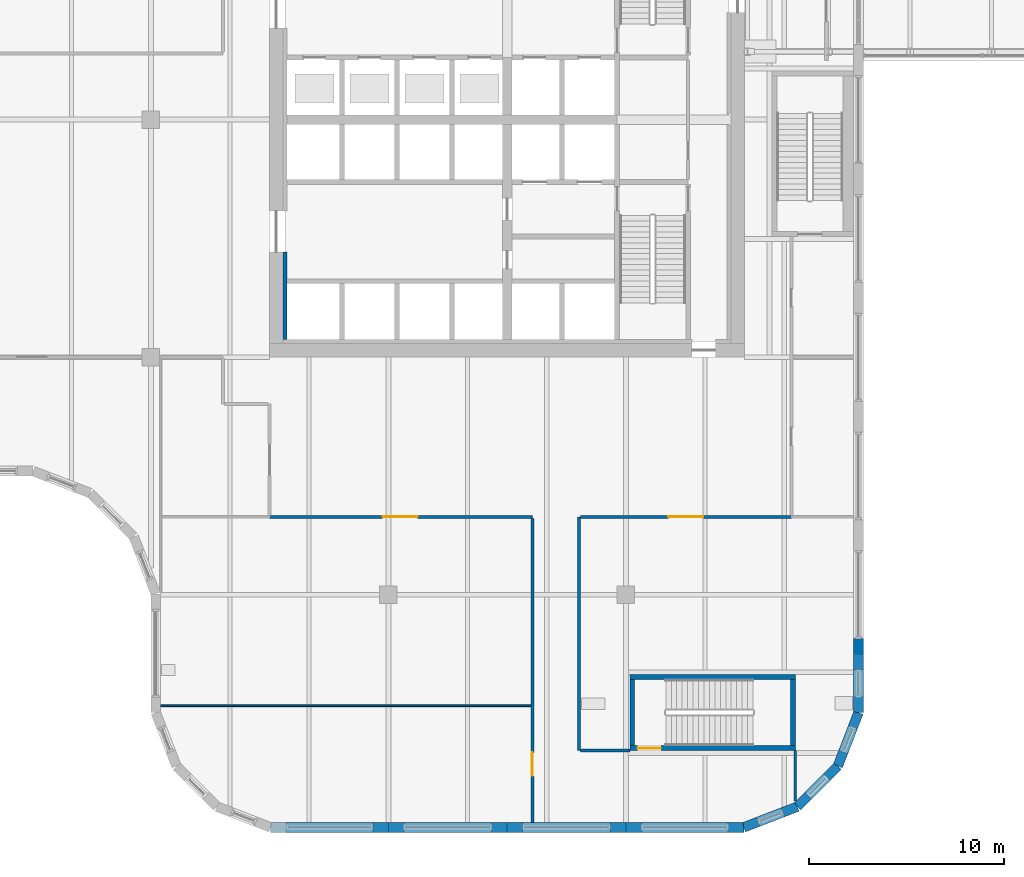
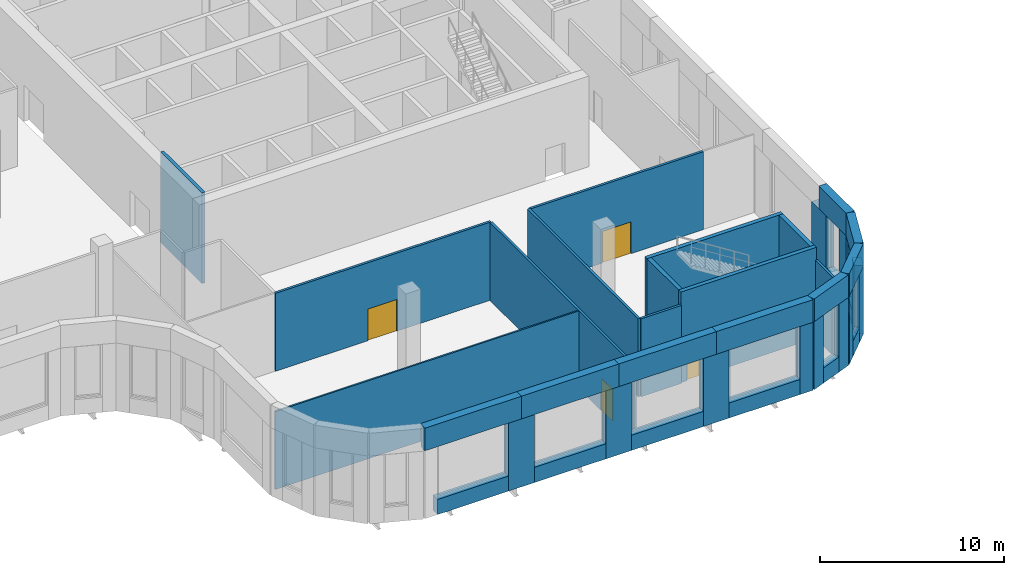
# One storey, part 21 of 36: 40 walls, 4 doors, 4 openings.
"""IFC4 building model written with IfcOpenShell, lengths in metres."""

from ifc_helpers import new_model, si_unit, direction, frame, frame_2d, origin, place, context, subcontext, project, spatial, polyline, rectangle, outline, extrude, faceted_brep, source, transform, mapped, material, layer, layer_set, type_object, element, fill, save


model = new_model("IFC4")

# Units and contexts
model_context = context("Model", 3, precision=1e-05, world=origin(), true_north=direction((0.0, 1.0)))
body_context = subcontext(model_context, "Body", "Model", "MODEL_VIEW")
ifc_project = project(units=[si_unit("LENGTHUNIT", "METRE"), si_unit("AREAUNIT", "SQUARE_METRE"), si_unit("VOLUMEUNIT", "CUBIC_METRE"), si_unit("PLANEANGLEUNIT", "RADIAN"), si_unit("MASSUNIT", "GRAM", prefix="KILO")], contexts=[model_context])

# Site, building, storey
site_placement = place(None, origin())
site = spatial("IfcSite", under=ifc_project, at=site_placement, CompositionType="ELEMENT")
building_placement = place(site_placement, origin())
building = spatial("IfcBuilding", under=site, at=building_placement, Name="Tessera Gate Towers", CompositionType="ELEMENT")
storey_placement = place(building_placement, frame((0.0, 0.0, 106.60009765625)))
storey = spatial("IfcBuildingStorey", under=building, at=storey_placement, Name="L26", CompositionType="ELEMENT", Elevation=106.60009765625)

# Wall, opening, door
ifc_material_1 = material(Name="Concrete C40/50", Category="concrete")
ifc_layer_1 = layer(ifc_material_1, 0.25)
ifc_layer_set_1 = layer_set([ifc_layer_1], Name="CORE ENCLOSURE WALL 250")
wall_type_1 = type_object("IfcWallType", Name="CORE ENCLOSURE WALL 250", PredefinedType="SOLIDWALL", material=ifc_layer_set_1)
wall_1_placement = place(storey_placement, frame((57.5, 4.324951171875, 0.0), z_axis=(0.0, 0.0, 1.0), x_axis=(-1.0, 0.0, 0.0)))
wall_1 = element("IfcWall", 1, at=wall_1_placement, inside=storey, type_object=wall_type_1, Name="L26 ST4 enclosure wall", PredefinedType="SOLIDWALL", context=body_context, shape_type="SweptSolid", body=[
    extrude(rectangle(XDim=8.5, YDim=0.25, at=frame_2d((4.25, 0.0))), origin(), (0.0, 0.0, 1.0), 6.0),
])
shared_shape_1 = source(origin(), body_context, "Body", "SweptSolid", [
    extrude(rectangle(XDim=1.199951171875, YDim=2.10009765625, at=frame_2d((0.60009765625, 1.050048828125))), frame((0.0, 0.135009765625, 0.0), z_axis=(0.0, -1.0, 0.0), x_axis=(1.0, 0.0, 0.0)), (0.0, 0.0, 1.0), 0.27001953125),
])
opening_1_placement = place(wall_1_placement, frame((6.89990234375, 0.0, 0.0)))
opening_1 = element("IfcOpeningElement", 2, at=opening_1_placement, cuts=wall_1, Name="Opening SD-ST4-1", PredefinedType="OPENING", context=body_context, shape_type="MappedRepresentation", body=[
    mapped(shared_shape_1, transform((0.0, 0.0, 0.0), scale=1.0)),
])
ifc_material_2 = material(Name="Hollow steel fire door", Category="steel")
door_type_1 = type_object("IfcDoorType", Name="CORE DOOR SD 1200x2100", OperationType="NOTDEFINED", PredefinedType="DOOR", material=ifc_material_2)
shared_shape_2 = source(origin(), body_context, "Body", "SweptSolid", [
    extrude(rectangle(XDim=1.199951171875, YDim=2.10009765625, at=frame_2d((0.60009765625, 1.050048828125))), frame((0.0, 0.02490234375, 0.0), z_axis=(0.0, -1.0, 0.0), x_axis=(1.0, 0.0, 0.0)), (0.0, 0.0, 1.0), 0.050048828125),
])
door_1_placement = place(opening_1_placement, origin())
door_1 = element("IfcDoor", 3, at=door_1_placement, inside=storey, type_object=door_type_1, Name="Stair door", OperationType="SINGLE_SWING_RIGHT", OverallHeight=2.10009765625, OverallWidth=1.199951171875, PredefinedType="DOOR", context=body_context, shape_type="MappedRepresentation", body=[
    mapped(shared_shape_2, transform((0.0, 0.0, 0.0), scale=1.0)),
])
fill(opening_1, door_1)

# Walls
wall_2_placement = place(storey_placement, frame((49.125, 4.449951171875, 0.0), z_axis=(0.0, 0.0, 1.0), x_axis=(0.0, 1.0, 0.0)))
element("IfcWall", 4, at=wall_2_placement, inside=storey, type_object=wall_type_1, Name="L26 ST4 enclosure wall", PredefinedType="SOLIDWALL", context=body_context, shape_type="SweptSolid", body=[
    extrude(rectangle(XDim=3.400146484375, YDim=0.25, at=frame_2d((1.7001953125, 0.0))), origin(), (0.0, 0.0, 1.0), 6.0),
])
wall_3_placement = place(storey_placement, frame((49.0, 7.97509765625, 0.0), z_axis=(0.0, 0.0, 1.0), x_axis=(1.0, 0.0, 0.0)))
element("IfcWall", 5, at=wall_3_placement, inside=storey, type_object=wall_type_1, Name="L26 ST4 enclosure wall", PredefinedType="SOLIDWALL", context=body_context, shape_type="SweptSolid", body=[
    extrude(rectangle(XDim=8.5, YDim=0.25, at=frame_2d((4.25, 0.0))), origin(), (0.0, 0.0, 1.0), 6.0),
])
wall_4_placement = place(storey_placement, frame((57.375, 7.85009765625, 0.0), z_axis=(0.0, 0.0, 1.0), x_axis=(0.0, -1.0, 0.0)))
element("IfcWall", 6, at=wall_4_placement, inside=storey, type_object=wall_type_1, Name="L26 ST4 enclosure wall", PredefinedType="SOLIDWALL", context=body_context, shape_type="SweptSolid", body=[
    extrude(rectangle(XDim=3.400146484375, YDim=0.25, at=frame_2d((1.7001953125, 0.0))), origin(), (0.0, 0.0, 1.0), 6.0),
])
ifc_material_3 = material(Name="Concrete C60/75", Category="concrete")
ifc_layer_2 = layer(ifc_material_3, 0.199951171875)
ifc_layer_set_2 = layer_set([ifc_layer_2], Name="CORE WALL THICKENING 200")
wall_type_2 = type_object("IfcWallType", Name="CORE WALL THICKENING 200", PredefinedType="SOLIDWALL", material=ifc_layer_set_2)
wall_5_placement = place(storey_placement, frame((31.300048828125, 25.300048828125, 0.0), z_axis=(0.0, 0.0, 1.0), x_axis=(0.0, 1.0, 0.0)))
element("IfcWall", 7, at=wall_5_placement, inside=storey, type_object=wall_type_2, Name="Core wall thickening W L26", PredefinedType="SOLIDWALL", context=body_context, shape_type="SweptSolid", body=[
    extrude(rectangle(XDim=4.5, YDim=0.199951171875, at=frame_2d((2.25, 0.0))), origin(), (0.0, 0.0, 1.0), 6.0),
])

# Wall, opening, door
ifc_material_4 = material(Name="Gypsum board on steel studs, mineral wool", Category="steel")
ifc_layer_3 = layer(ifc_material_4, 0.14990234375)
ifc_layer_set_3 = layer_set([ifc_layer_3], Name="CORRIDOR WALL 150")
wall_type_3 = type_object("IfcWallType", Name="CORRIDOR WALL 150", PredefinedType="PARTITIONING", material=ifc_layer_set_3)
wall_6_placement = place(storey_placement, frame((44.0, 0.5, 0.0), z_axis=(0.0, 0.0, 1.0), x_axis=(0.0, 1.0, 0.0)))
wall_6 = element("IfcWall", 8, at=wall_6_placement, inside=storey, type_object=wall_type_3, Name="T1-L26-PW-001", PredefinedType="PARTITIONING", context=body_context, shape_type="SweptSolid", body=[
    extrude(rectangle(XDim=15.6240234375, YDim=0.14990234375, at=frame_2d((7.81201171875, 0.0))), origin(), (0.0, 0.0, 1.0), 5.1669921875),
])
shared_shape_3 = source(origin(), body_context, "Body", "SweptSolid", [
    extrude(rectangle(XDim=1.199951171875, YDim=2.10009765625, at=frame_2d((0.60009765625, 1.050048828125))), frame((0.0, 0.0849609375, 0.0), z_axis=(0.0, -1.0, 0.0), x_axis=(1.0, 0.0, 0.0)), (0.0, 0.0, 1.0), 0.169921875),
])
opening_2_placement = place(wall_6_placement, frame((2.39990234375, 0.0, 0.0)))
opening_2 = element("IfcOpeningElement", 9, at=opening_2_placement, cuts=wall_6, Name="Opening D2120FD60-A33-01", PredefinedType="OPENING", context=body_context, shape_type="MappedRepresentation", body=[
    mapped(shared_shape_3, transform((0.0, 0.0, 0.0), scale=1.0)),
])
ifc_material_5 = material(Name="Timber door leaf in steel frame", Category="steel")
door_type_2 = type_object("IfcDoorType", Name="TENANCY ENTRANCE DOOR 1200 FD60", OperationType="NOTDEFINED", PredefinedType="DOOR", material=ifc_material_5)
door_2_placement = place(opening_2_placement, origin())
door_2 = element("IfcDoor", 10, at=door_2_placement, inside=storey, type_object=door_type_2, Name="T1-L26-PD-002", OperationType="SINGLE_SWING_LEFT", OverallHeight=2.10009765625, OverallWidth=1.199951171875, PredefinedType="DOOR", context=body_context, shape_type="MappedRepresentation", body=[
    mapped(shared_shape_2, transform((0.0, 0.0, 0.0), scale=1.0)),
])
fill(opening_2, door_2)

# Walls
wall_7_placement = place(storey_placement, frame((57.5, 1.609130859375, 0.0), z_axis=(0.0, 0.0, 1.0), x_axis=(0.0, 1.0, 0.0)))
element("IfcWall", 11, at=wall_7_placement, inside=storey, type_object=wall_type_3, Name="T1-L26-PW-002", PredefinedType="PARTITIONING", context=body_context, shape_type="SweptSolid", body=[
    extrude(rectangle(XDim=2.5908203125, YDim=0.14990234375, at=frame_2d((1.29541015625, 0.0))), origin(), (0.0, 0.0, 1.0), 5.1669921875),
])
wall_8_placement = place(storey_placement, frame((46.39990234375, 4.199951171875, 0.0), z_axis=(0.0, 0.0, 1.0), x_axis=(0.0, 1.0, 0.0)))
element("IfcWall", 12, at=wall_8_placement, inside=storey, type_object=wall_type_3, Name="T1-L26-PW-003", PredefinedType="PARTITIONING", context=body_context, shape_type="SweptSolid", body=[
    extrude(rectangle(XDim=12.0, YDim=0.14990234375, at=frame_2d((6.0, 0.0))), origin(), (0.0, 0.0, 1.0), 5.1669921875),
])
wall_9_placement = place(storey_placement, frame((46.47607421875, 4.199951171875, 0.0), z_axis=(0.0, 0.0, 1.0), x_axis=(1.0, 0.0, 0.0)))
element("IfcWall", 13, at=wall_9_placement, inside=storey, type_object=wall_type_3, Name="T1-L26-PW-004", PredefinedType="PARTITIONING", context=body_context, shape_type="SweptSolid", body=[
    extrude(rectangle(XDim=2.52392578125, YDim=0.14990234375, at=frame_2d((1.261962890625, 0.0))), origin(), (0.0, 0.0, 1.0), 5.1669921875),
])

# Wall, opening, door
wall_10_placement = place(storey_placement, frame((44.0, 16.199951171875, 0.0), z_axis=(0.0, 0.0, 1.0), x_axis=(-1.0, 0.0, 0.0)))
wall_10 = element("IfcWall", 14, at=wall_10_placement, inside=storey, type_object=wall_type_3, Name="T1-L26-PW-008", PredefinedType="PARTITIONING", context=body_context, shape_type="SweptSolid", body=[
    extrude(rectangle(XDim=13.5, YDim=0.14990234375, at=frame_2d((6.75, 0.0))), origin(), (0.0, 0.0, 1.0), 5.1669921875),
])
shared_shape_4 = source(origin(), body_context, "Body", "SweptSolid", [
    extrude(rectangle(XDim=1.800048828125, YDim=2.10009765625, at=frame_2d((0.89990234375, 1.050048828125))), frame((0.0, 0.0849609375, 0.0), z_axis=(0.0, -1.0, 0.0), x_axis=(1.0, 0.0, 0.0)), (0.0, 0.0, 1.0), 0.169921875),
])
opening_3_placement = place(wall_10_placement, frame((5.89990234375, 0.0, 0.0)))
opening_3 = element("IfcOpeningElement", 15, at=opening_3_placement, cuts=wall_10, Name="Opening D2180FD60-A33-02", PredefinedType="OPENING", context=body_context, shape_type="MappedRepresentation", body=[
    mapped(shared_shape_4, transform((0.0, 0.0, 0.0), scale=1.0)),
])
ifc_material_6 = material(Name="Timber door leaf in steel frame", Category="steel")
door_type_3 = type_object("IfcDoorType", Name="TENANCY ENTRANCE DOUBLE DOOR 1800 FD60", OperationType="NOTDEFINED", PredefinedType="DOOR", material=ifc_material_6)
shared_shape_5 = source(origin(), body_context, "Body", "SweptSolid", [
    extrude(rectangle(XDim=1.800048828125, YDim=2.10009765625, at=frame_2d((0.89990234375, 1.050048828125))), frame((0.0, 0.02490234375, 0.0), z_axis=(0.0, -1.0, 0.0), x_axis=(1.0, 0.0, 0.0)), (0.0, 0.0, 1.0), 0.050048828125),
])
door_3_placement = place(opening_3_placement, origin())
door_3 = element("IfcDoor", 16, at=door_3_placement, inside=storey, type_object=door_type_3, Name="T1-L26-PD-011", OperationType="DOUBLE_DOOR_SINGLE_SWING", OverallHeight=2.10009765625, OverallWidth=1.800048828125, PredefinedType="DOOR", context=body_context, shape_type="MappedRepresentation", body=[
    mapped(shared_shape_5, transform((0.0, 0.0, 0.0), scale=1.0)),
])
fill(opening_3, door_3)

wall_11_placement = place(storey_placement, frame((57.300048828125, 16.199951171875, 0.0), z_axis=(0.0, 0.0, 1.0), x_axis=(-1.0, 0.0, 0.0)))
wall_11 = element("IfcWall", 17, at=wall_11_placement, inside=storey, type_object=wall_type_3, Name="T1-L26-PW-009", PredefinedType="PARTITIONING", context=body_context, shape_type="SweptSolid", body=[
    extrude(rectangle(XDim=10.823974609375, YDim=0.14990234375, at=frame_2d((5.412109375, 0.0))), origin(), (0.0, 0.0, 1.0), 5.1669921875),
])
opening_4_placement = place(wall_11_placement, frame((4.52392578125, 0.0, 0.0)))
opening_4 = element("IfcOpeningElement", 18, at=opening_4_placement, cuts=wall_11, Name="Opening D2180FD60-A33-01", PredefinedType="OPENING", context=body_context, shape_type="MappedRepresentation", body=[
    mapped(shared_shape_4, transform((0.0, 0.0, 0.0), scale=1.0)),
])
door_4_placement = place(opening_4_placement, origin())
door_4 = element("IfcDoor", 19, at=door_4_placement, inside=storey, type_object=door_type_3, Name="T1-L26-PD-009", OperationType="DOUBLE_DOOR_SINGLE_SWING", OverallHeight=2.10009765625, OverallWidth=1.800048828125, PredefinedType="DOOR", context=body_context, shape_type="MappedRepresentation", body=[
    mapped(shared_shape_5, transform((0.0, 0.0, 0.0), scale=1.0)),
])
fill(opening_4, door_4)

# Walls
ifc_material_7 = material(Name="Gypsum board on steel studs", Category="steel")
ifc_layer_4 = layer(ifc_material_7, 0.10009765625)
ifc_layer_set_4 = layer_set([ifc_layer_4], Name="PARTITION 100")
wall_type_4 = type_object("IfcWallType", Name="PARTITION 100", PredefinedType="PARTITIONING", material=ifc_layer_set_4)
wall_12_placement = place(storey_placement, frame((24.89990234375, 6.5, 0.0), z_axis=(0.0, 0.0, 1.0), x_axis=(1.0, 0.0, 0.0)))
element("IfcWall", 20, at=wall_12_placement, inside=storey, type_object=wall_type_4, Name="T1-L26-PW-005", PredefinedType="PARTITIONING", context=body_context, shape_type="SweptSolid", body=[
    extrude(rectangle(XDim=19.024169921875, YDim=0.10009765625, at=frame_2d((9.51220703125, 0.0))), origin(), (0.0, 0.0, 1.0), 5.1669921875),
])
ifc_material_8 = material(Name="Precast concrete C60/75 white", Category="concrete")
ifc_layer_5 = layer(ifc_material_8, 0.5)
ifc_layer_set_5 = layer_set([ifc_layer_5], Name="RB1 ring band panel")
wall_type_5 = type_object("IfcWallType", Name="RB1 ring band panel", PredefinedType="SOLIDWALL", material=ifc_layer_set_5)
shared_shape_6 = source(origin(), body_context, "Body", "Brep", [
    faceted_brep([(0.0, -0.25, 0.0), (0.800048828125, -0.25, 0.0), (0.800048828125, -0.25, 4.5), (0.0, -0.25, 4.5), (0.046630859375, 0.25, 4.5), (0.800048828125, 0.25, 4.5), (0.800048828125, 0.25, 0.0), (0.046630859375, 0.25, 0.0), (0.0, 0.0, 0.0), (0.0, 0.0, 4.5)], [[[0, 1, 2, 3]], [[4, 5, 6, 7]], [[7, 6, 1, 0, 8]], [[5, 4, 9, 3, 2]], [[8, 0, 3, 9]], [[7, 8, 9, 4]], [[1, 6, 5, 2]]]),
])
wall_13_placement = place(storey_placement, frame((60.75, 6.146484375, 0.0), z_axis=(0.0, 0.0, 1.0), x_axis=(0.0, 1.0, 0.0)))
element("IfcWall", 21, at=wall_13_placement, inside=storey, type_object=wall_type_5, Name="Ring band panel T1 RB1-0122", PredefinedType="SOLIDWALL", context=body_context, shape_type="MappedRepresentation", body=[
    mapped(shared_shape_6, transform((0.0, 0.0, 0.0), scale=1.0)),
])
shared_shape_7 = source(origin(), body_context, "Body", "Brep", [
    faceted_brep([(0.0, -0.25, 0.0), (1.599853515625, -0.25, 0.0), (1.599853515625, -0.25, 4.5), (0.0, -0.25, 4.5), (0.0, 0.25, 4.5), (1.599853515625, 0.25, 4.5), (1.599853515625, 0.25, 0.0), (0.0, 0.25, 0.0)], [[[0, 1, 2, 3]], [[4, 5, 6, 7]], [[7, 6, 1, 0]], [[5, 4, 3, 2]], [[4, 7, 0, 3]], [[1, 6, 5, 2]]]),
])
for number, where, z_axis, x_axis, name in (
    (22, (35.800048828125, 0.25, 0.0), (0.0, 0.0, 1.0), (1.0, 0.0, 0.0), "Ring band panel T1 RB1-0098"),
    (23, (60.75, 8.35009765625, 0.0), (0.0, 0.0, 1.0), (0.0, 1.0, 0.0), "Ring band panel T1 RB1-0123"),
):
    element("IfcWall", number, at=place(storey_placement, frame(where, z_axis=z_axis, x_axis=x_axis)), inside=storey, type_object=wall_type_5, Name=name, PredefinedType="SOLIDWALL", context=body_context, shape_type="MappedRepresentation", body=[
        mapped(shared_shape_7, transform((0.0, 0.0, 0.0), scale=1.0)),
    ])
shared_shape_8 = source(origin(), body_context, "Body", "SweptSolid", [
    extrude(outline(polyline([(0.0, 0.0), (1.60009765625, 0.0), (1.60009765625, 4.5), (0.0, 4.5), (0.0, 0.0)])), frame((0.0, 0.25, 0.0), z_axis=(0.0, -1.0, 0.0), x_axis=(1.0, 0.0, 0.0)), (0.0, 0.0, 1.0), 0.5),
])
for number, where, z_axis, x_axis, name in (
    (24, (41.89990234375, 0.25, 0.0), (0.0, 0.0, 1.0), (1.0, 0.0, 0.0), "Ring band panel T1 RB1-0099"),
    (25, (48.0, 0.25, 0.0), (0.0, 0.0, 1.0), (1.0, 0.0, 0.0), "Ring band panel T1 RB1-0100"),
):
    element("IfcWall", number, at=place(storey_placement, frame(where, z_axis=z_axis, x_axis=x_axis)), inside=storey, type_object=wall_type_5, Name=name, PredefinedType="SOLIDWALL", context=body_context, shape_type="MappedRepresentation", body=[
        mapped(shared_shape_8, transform((0.0, 0.0, 0.0), scale=1.0)),
    ])
shared_shape_9 = source(origin(), body_context, "Body", "Brep", [
    faceted_brep([(0.0, -0.25, 0.0), (0.800048828125, -0.25, 0.0), (0.800048828125, -0.25, 4.5), (0.0, -0.25, 4.5), (0.0, 0.25, 4.5), (0.75341796875, 0.25, 4.5), (0.75341796875, 0.25, 0.0), (0.0, 0.25, 0.0), (0.800048828125, -0.000244140625, 0.0), (0.800048828125, -0.000244140625, 4.5)], [[[0, 1, 2, 3]], [[4, 5, 6, 7]], [[7, 6, 8, 1, 0]], [[9, 2, 1, 8]], [[5, 4, 3, 2, 9]], [[4, 7, 0, 3]], [[8, 6, 5, 9]]]),
])
wall_14_placement = place(storey_placement, frame((54.053466796875, 0.25, 0.0), z_axis=(0.0, 0.0, 1.0), x_axis=(1.0, 0.0, 0.0)))
element("IfcWall", 26, at=wall_14_placement, inside=storey, type_object=wall_type_5, Name="Ring band panel T1 RB1-0101", PredefinedType="SOLIDWALL", context=body_context, shape_type="MappedRepresentation", body=[
    mapped(shared_shape_9, transform((0.0, 0.0, 0.0), scale=1.0)),
])
shared_shape_10 = source(origin(), body_context, "Body", "SweptSolid", [
    extrude(outline(polyline([(0.0, 0.0), (4.453369140625, 0.0), (4.453369140625, 1.0), (0.0, 1.0), (0.0, 0.0)])), frame((0.0, 0.25, 0.0), z_axis=(0.0, -1.0, 0.0), x_axis=(1.0, 0.0, 0.0)), (0.0, 0.0, 1.0), 0.5),
])
for number, where, z_axis, x_axis, name in (
    (27, (31.346435546875, 0.25, 0.0), (0.0, 0.0, 1.0), (1.0, 0.0, 0.0), "Ring band panel T1 RB1-0102"),
    (28, (49.60009765625, 0.25, 0.0), (0.0, 0.0, 1.0), (1.0, 0.0, 0.0), "Ring band panel T1 RB1-0108"),
):
    element("IfcWall", number, at=place(storey_placement, frame(where, z_axis=z_axis, x_axis=x_axis)), inside=storey, type_object=wall_type_5, Name=name, PredefinedType="SOLIDWALL", context=body_context, shape_type="MappedRepresentation", body=[
        mapped(shared_shape_10, transform((0.0, 0.0, 0.0), scale=1.0)),
    ])
shared_shape_11 = source(origin(), body_context, "Body", "Brep", [
    faceted_brep([(0.0, -0.25, 0.0), (6.053466796875, -0.25, 0.0), (6.053466796875, -0.25, 1.5), (0.0, -0.25, 1.5), (0.046630859375, 0.25, 1.5), (6.053466796875, 0.25, 1.5), (6.053466796875, 0.25, 0.0), (0.046630859375, 0.25, 0.0), (0.0, 0.0, 0.0), (0.0, 0.0, 1.5)], [[[0, 1, 2, 3]], [[4, 5, 6, 7]], [[7, 6, 1, 0, 8]], [[5, 4, 9, 3, 2]], [[8, 0, 3, 9]], [[7, 8, 9, 4]], [[1, 6, 5, 2]]]),
])
wall_15_placement = place(storey_placement, frame((30.546630859375, 0.25, 4.5), z_axis=(0.0, 0.0, 1.0), x_axis=(1.0, 0.0, 0.0)))
element("IfcWall", 29, at=wall_15_placement, inside=storey, type_object=wall_type_5, Name="Ring band panel T1 RB1-0103", PredefinedType="SOLIDWALL", context=body_context, shape_type="MappedRepresentation", body=[
    mapped(shared_shape_11, transform((0.0, 0.0, 0.0), scale=1.0)),
])
shared_shape_12 = source(origin(), body_context, "Body", "SweptSolid", [
    extrude(outline(polyline([(0.0, 0.0), (4.5, 0.0), (4.5, 1.0), (0.0, 1.0), (0.0, 0.0)])), frame((0.0, 0.25, 0.0), z_axis=(0.0, -1.0, 0.0), x_axis=(1.0, 0.0, 0.0)), (0.0, 0.0, 1.0), 0.5),
])
for number, where, z_axis, x_axis, name in (
    (30, (37.39990234375, 0.25, 0.0), (0.0, 0.0, 1.0), (1.0, 0.0, 0.0), "Ring band panel T1 RB1-0104"),
    (31, (43.5, 0.25, 0.0), (0.0, 0.0, 1.0), (1.0, 0.0, 0.0), "Ring band panel T1 RB1-0106"),
):
    element("IfcWall", number, at=place(storey_placement, frame(where, z_axis=z_axis, x_axis=x_axis)), inside=storey, type_object=wall_type_5, Name=name, PredefinedType="SOLIDWALL", context=body_context, shape_type="MappedRepresentation", body=[
        mapped(shared_shape_12, transform((0.0, 0.0, 0.0), scale=1.0)),
    ])
shared_shape_13 = source(origin(), body_context, "Body", "Brep", [
    faceted_brep([(0.0, -0.25, 0.0), (6.099853515625, -0.25, 0.0), (6.099853515625, -0.25, 1.5), (0.0, -0.25, 1.5), (0.0, 0.25, 1.5), (6.099853515625, 0.25, 1.5), (6.099853515625, 0.25, 0.0), (0.0, 0.25, 0.0)], [[[0, 1, 2, 3]], [[4, 5, 6, 7]], [[7, 6, 1, 0]], [[5, 4, 3, 2]], [[4, 7, 0, 3]], [[1, 6, 5, 2]]]),
])
wall_16_placement = place(storey_placement, frame((36.60009765625, 0.25, 4.5), z_axis=(0.0, 0.0, 1.0), x_axis=(1.0, 0.0, 0.0)))
element("IfcWall", 32, at=wall_16_placement, inside=storey, type_object=wall_type_5, Name="Ring band panel T1 RB1-0105", PredefinedType="SOLIDWALL", context=body_context, shape_type="MappedRepresentation", body=[
    mapped(shared_shape_13, transform((0.0, 0.0, 0.0), scale=1.0)),
])
shared_shape_14 = source(origin(), body_context, "Body", "SweptSolid", [
    extrude(outline(polyline([(0.0, 0.0), (6.10009765625, 0.0), (6.10009765625, 1.5), (0.0, 1.5), (0.0, 0.0)])), frame((0.0, 0.25, 0.0), z_axis=(0.0, -1.0, 0.0), x_axis=(1.0, 0.0, 0.0)), (0.0, 0.0, 1.0), 0.5),
])
wall_17_placement = place(storey_placement, frame((42.699951171875, 0.25, 4.5), z_axis=(0.0, 0.0, 1.0), x_axis=(1.0, 0.0, 0.0)))
element("IfcWall", 33, at=wall_17_placement, inside=storey, type_object=wall_type_5, Name="Ring band panel T1 RB1-0107", PredefinedType="SOLIDWALL", context=body_context, shape_type="MappedRepresentation", body=[
    mapped(shared_shape_14, transform((0.0, 0.0, 0.0), scale=1.0)),
])
shared_shape_15 = source(origin(), body_context, "Body", "Brep", [
    faceted_brep([(0.0, -0.25, 0.0), (6.053466796875, -0.25, 0.0), (6.053466796875, -0.25, 1.5), (0.0, -0.25, 1.5), (0.0, 0.25, 1.5), (6.0068359375, 0.25, 1.5), (6.0068359375, 0.25, 0.0), (0.0, 0.25, 0.0), (6.053466796875, 0.0, 0.0), (6.053466796875, 0.0, 1.5)], [[[0, 1, 2, 3]], [[4, 5, 6, 7]], [[7, 6, 8, 1, 0]], [[9, 2, 1, 8]], [[5, 4, 3, 2, 9]], [[4, 7, 0, 3]], [[8, 6, 5, 9]]]),
])
wall_18_placement = place(storey_placement, frame((48.800048828125, 0.25, 4.5), z_axis=(0.0, 0.0, 1.0), x_axis=(1.0, 0.0, 0.0)))
element("IfcWall", 34, at=wall_18_placement, inside=storey, type_object=wall_type_5, Name="Ring band panel T1 RB1-0109", PredefinedType="SOLIDWALL", context=body_context, shape_type="MappedRepresentation", body=[
    mapped(shared_shape_15, transform((0.0, 0.0, 0.0), scale=1.0)),
])
shared_shape_16 = source(origin(), body_context, "Body", "Brep", [
    faceted_brep([(0.0, -0.25, 0.0), (0.800048828125, -0.25, 0.0), (0.800048828125, -0.25, 4.5), (0.0, -0.25, 4.5), (0.046630859375, 0.25, 4.5), (0.800048828125, 0.25, 4.5), (0.800048828125, 0.25, 0.0), (0.046630859375, 0.25, 0.0), (0.0, 0.0, 0.0), (0.0, 0.0, 4.5)], [[[0, 1, 2, 3]], [[4, 5, 6, 7]], [[7, 6, 1, 0, 8]], [[5, 4, 9, 3, 2]], [[8, 0, 3, 9]], [[7, 8, 9, 4]], [[1, 6, 5, 2]]]),
])
wall_19_placement = place(storey_placement, frame((54.853515625, 0.25, 0.0), z_axis=(0.0, 0.0, 1.0), x_axis=(0.93301483327, 0.3598379092, 0.0)))
element("IfcWall", 35, at=wall_19_placement, inside=storey, type_object=wall_type_5, Name="Ring band panel T1 RB1-0110", PredefinedType="SOLIDWALL", context=body_context, shape_type="MappedRepresentation", body=[
    mapped(shared_shape_16, transform((0.0, 0.0, 0.0), scale=1.0)),
])
shared_shape_17 = source(origin(), body_context, "Body", "Brep", [
    faceted_brep([(0.0, -0.25, 0.0), (0.800048828125, -0.25, 0.0), (0.800048828125, -0.25, 4.5), (0.0, -0.25, 4.5), (0.0, 0.25, 4.5), (0.7470703125, 0.25, 4.5), (0.7470703125, 0.25, 0.0), (0.0, 0.25, 0.0), (0.800048828125, -0.000244140625, 0.0), (0.800048828125, -0.000244140625, 4.5)], [[[0, 1, 2, 3]], [[4, 5, 6, 7]], [[7, 6, 8, 1, 0]], [[9, 2, 1, 8]], [[5, 4, 3, 2, 9]], [[4, 7, 0, 3]], [[8, 6, 5, 9]]]),
])
for number, where, z_axis, x_axis, name in (
    (36, (56.85986328125, 1.02392578125, 0.0), (0.0, 0.0, 1.0), (0.932912338632, 0.360103552367, 0.0), "Ring band panel T1 RB1-0111"),
    (37, (59.122314453125, 2.828125, 0.0), (0.0, 0.0, 1.0), (0.707259322823, 0.706954206636, 0.0), "Ring band panel T1 RB1-0115"),
):
    element("IfcWall", number, at=place(storey_placement, frame(where, z_axis=z_axis, x_axis=x_axis)), inside=storey, type_object=wall_type_5, Name=name, PredefinedType="SOLIDWALL", context=body_context, shape_type="MappedRepresentation", body=[
        mapped(shared_shape_17, transform((0.0, 0.0, 0.0), scale=1.0)),
    ])
shared_shape_18 = source(origin(), body_context, "Body", "SweptSolid", [
    extrude(outline(polyline([(0.0, 0.0), (1.3505859375, 0.0), (1.3505859375, 1.0), (0.0, 1.0), (0.0, 0.0)])), frame((0.0, 0.25, 0.0), z_axis=(0.0, -1.0, 0.0), x_axis=(1.0, 0.0, 0.0)), (0.0, 0.0, 1.0), 0.5),
])
for number, where, z_axis, x_axis, name in (
    (38, (55.599853515625, 0.537841796875, 0.0), (0.0, 0.0, 1.0), (0.932981713512, 0.359923772835, 0.0), "Ring band panel T1 RB1-0112"),
    (39, (59.97607421875, 4.14013671875, 0.0), (0.0, 0.0, 1.0), (0.359923772835, 0.932981713512, 0.0), "Ring band panel T1 RB1-0120"),
):
    element("IfcWall", number, at=place(storey_placement, frame(where, z_axis=z_axis, x_axis=x_axis)), inside=storey, type_object=wall_type_5, Name=name, PredefinedType="SOLIDWALL", context=body_context, shape_type="MappedRepresentation", body=[
        mapped(shared_shape_18, transform((0.0, 0.0, 0.0), scale=1.0)),
    ])
shared_shape_19 = source(origin(), body_context, "Body", "Brep", [
    faceted_brep([(0.0, -0.25, 0.0), (2.950439453125, -0.25, 0.0), (2.950439453125, -0.25, 1.5), (0.0, -0.25, 1.5), (0.046630859375, 0.25, 1.5), (2.897705078125, 0.25, 1.5), (2.897705078125, 0.25, 0.0), (0.046630859375, 0.25, 0.0), (2.950439453125, 0.00048828125, 0.0), (0.0, 0.0, 0.0), (2.950439453125, 0.00048828125, 1.5), (0.0, 0.0, 1.5)], [[[0, 1, 2, 3]], [[4, 5, 6, 7]], [[7, 6, 8, 1, 0, 9]], [[10, 2, 1, 8]], [[5, 4, 11, 3, 2, 10]], [[9, 0, 3, 11]], [[7, 9, 11, 4]], [[8, 6, 5, 10]]]),
])
wall_20_placement = place(storey_placement, frame((54.853515625, 0.25, 4.5), z_axis=(0.0, 0.0, 1.0), x_axis=(0.932999673775, 0.359877213415, 0.0)))
element("IfcWall", 40, at=wall_20_placement, inside=storey, type_object=wall_type_5, Name="Ring band panel T1 RB1-0113", PredefinedType="SOLIDWALL", context=body_context, shape_type="MappedRepresentation", body=[
    mapped(shared_shape_19, transform((0.0, 0.0, 0.0), scale=1.0)),
])
shared_shape_20 = source(origin(), body_context, "Body", "Brep", [
    faceted_brep([(0.0, -0.25, 0.0), (0.800048828125, -0.25, 0.0), (0.800048828125, -0.25, 4.5), (0.0, -0.25, 4.5), (0.052978515625, 0.25, 4.5), (0.800048828125, 0.25, 4.5), (0.800048828125, 0.25, 0.0), (0.052978515625, 0.25, 0.0), (0.0, 0.0, 0.0), (0.0, 0.0, 4.5)], [[[0, 1, 2, 3]], [[4, 5, 6, 7]], [[7, 6, 1, 0, 8]], [[5, 4, 9, 3, 2]], [[8, 0, 3, 9]], [[7, 8, 9, 4]], [[1, 6, 5, 2]]]),
])
for number, where, z_axis, x_axis, name in (
    (41, (57.606201171875, 1.31201171875, 0.0), (0.0, 0.0, 1.0), (0.707106781187, 0.707106781187, 0.0), "Ring band panel T1 RB1-0114"),
    (42, (59.68798828125, 3.393798828125, 0.0), (0.0, 0.0, 1.0), (0.360103552367, 0.932912338632, 0.0), "Ring band panel T1 RB1-0118"),
):
    element("IfcWall", number, at=place(storey_placement, frame(where, z_axis=z_axis, x_axis=x_axis)), inside=storey, type_object=wall_type_5, Name=name, PredefinedType="SOLIDWALL", context=body_context, shape_type="MappedRepresentation", body=[
        mapped(shared_shape_20, transform((0.0, 0.0, 0.0), scale=1.0)),
    ])
shared_shape_21 = source(origin(), body_context, "Body", "SweptSolid", [
    extrude(outline(polyline([(0.0, 0.0), (1.34423828125, 0.0), (1.34423828125, 1.0), (0.0, 1.0), (0.0, 0.0)])), frame((0.0, 0.25, 0.0), z_axis=(0.0, -1.0, 0.0), x_axis=(1.0, 0.0, 0.0)), (0.0, 0.0, 1.0), 0.5),
])
wall_21_placement = place(storey_placement, frame((58.171875, 1.877685546875, 0.0), z_axis=(0.0, 0.0, 1.0), x_axis=(0.707106781187, 0.707106781187, 0.0)))
element("IfcWall", 43, at=wall_21_placement, inside=storey, type_object=wall_type_5, Name="Ring band panel T1 RB1-0116", PredefinedType="SOLIDWALL", context=body_context, shape_type="MappedRepresentation", body=[
    mapped(shared_shape_21, transform((0.0, 0.0, 0.0), scale=1.0)),
])
shared_shape_22 = source(origin(), body_context, "Body", "Brep", [
    faceted_brep([(0.0, -0.25, 0.0), (2.944091796875, -0.25, 0.0), (2.944091796875, -0.25, 1.5), (0.0, -0.25, 1.5), (0.052978515625, 0.25, 1.5), (2.89111328125, 0.25, 1.5), (2.89111328125, 0.25, 0.0), (0.052978515625, 0.25, 0.0), (2.944091796875, 0.000244140625, 0.0), (0.0, 0.0, 0.0), (2.944091796875, 0.000244140625, 1.5), (0.0, 0.0, 1.5)], [[[0, 1, 2, 3]], [[4, 5, 6, 7]], [[7, 6, 8, 1, 0, 9]], [[10, 2, 1, 8]], [[5, 4, 11, 3, 2, 10]], [[9, 0, 3, 11]], [[7, 9, 11, 4]], [[8, 6, 5, 10]]]),
])
wall_22_placement = place(storey_placement, frame((57.606201171875, 1.31201171875, 4.5), z_axis=(0.0, 0.0, 1.0), x_axis=(0.707106781187, 0.707106781187, 0.0)))
element("IfcWall", 44, at=wall_22_placement, inside=storey, type_object=wall_type_5, Name="Ring band panel T1 RB1-0117", PredefinedType="SOLIDWALL", context=body_context, shape_type="MappedRepresentation", body=[
    mapped(shared_shape_22, transform((0.0, 0.0, 0.0), scale=1.0)),
])
shared_shape_23 = source(origin(), body_context, "Body", "Brep", [
    faceted_brep([(0.0, -0.25, 0.0), (0.800048828125, -0.25, 0.0), (0.800048828125, -0.25, 4.5), (0.0, -0.25, 4.5), (0.0, 0.25, 4.5), (0.75341796875, 0.25, 4.5), (0.75341796875, 0.25, 0.0), (0.0, 0.25, 0.0), (0.800048828125, -0.000244140625, 0.0), (0.800048828125, -0.000244140625, 4.5)], [[[0, 1, 2, 3]], [[4, 5, 6, 7]], [[7, 6, 8, 1, 0]], [[9, 2, 1, 8]], [[5, 4, 3, 2, 9]], [[4, 7, 0, 3]], [[8, 6, 5, 9]]]),
])
wall_23_placement = place(storey_placement, frame((60.462158203125, 5.400146484375, 0.0), z_axis=(0.0, 0.0, 1.0), x_axis=(0.3598379092, 0.93301483327, 0.0)))
element("IfcWall", 45, at=wall_23_placement, inside=storey, type_object=wall_type_5, Name="Ring band panel T1 RB1-0119", PredefinedType="SOLIDWALL", context=body_context, shape_type="MappedRepresentation", body=[
    mapped(shared_shape_23, transform((0.0, 0.0, 0.0), scale=1.0)),
])
shared_shape_24 = source(origin(), body_context, "Body", "Brep", [
    faceted_brep([(0.0, -0.25, 0.0), (2.950439453125, -0.25, 0.0), (2.950439453125, -0.25, 1.5), (0.0, -0.25, 1.5), (0.052978515625, 0.25, 1.5), (2.904052734375, 0.25, 1.5), (2.904052734375, 0.25, 0.0), (0.052978515625, 0.25, 0.0), (2.950439453125, 0.00048828125, 0.0), (0.0, 0.0, 0.0), (2.950439453125, 0.00048828125, 1.5), (0.0, 0.0, 1.5)], [[[0, 1, 2, 3]], [[4, 5, 6, 7]], [[7, 6, 8, 1, 0, 9]], [[10, 2, 1, 8]], [[5, 4, 11, 3, 2, 10]], [[9, 0, 3, 11]], [[7, 9, 11, 4]], [[8, 6, 5, 10]]]),
])
wall_24_placement = place(storey_placement, frame((59.68798828125, 3.393798828125, 4.5), z_axis=(0.0, 0.0, 1.0), x_axis=(0.359949242603, 0.932971887438, 0.0)))
element("IfcWall", 46, at=wall_24_placement, inside=storey, type_object=wall_type_5, Name="Ring band panel T1 RB1-0121", PredefinedType="SOLIDWALL", context=body_context, shape_type="MappedRepresentation", body=[
    mapped(shared_shape_24, transform((0.0, 0.0, 0.0), scale=1.0)),
])
shared_shape_25 = source(origin(), body_context, "Body", "SweptSolid", [
    extrude(outline(polyline([(0.0, 0.0), (1.403564453125, 0.0), (1.403564453125, 1.0), (0.0, 1.0), (0.0, 0.0)])), frame((0.0, 0.25, 0.0), z_axis=(0.0, -1.0, 0.0), x_axis=(1.0, 0.0, 0.0)), (0.0, 0.0, 1.0), 0.5),
])
wall_25_placement = place(storey_placement, frame((60.75, 6.946533203125, 0.0), z_axis=(0.0, 0.0, 1.0), x_axis=(0.0, 1.0, 0.0)))
element("IfcWall", 47, at=wall_25_placement, inside=storey, type_object=wall_type_5, Name="Ring band panel T1 RB1-0131", PredefinedType="SOLIDWALL", context=body_context, shape_type="MappedRepresentation", body=[
    mapped(shared_shape_25, transform((0.0, 0.0, 0.0), scale=1.0)),
])
shared_shape_26 = source(origin(), body_context, "Body", "Brep", [
    faceted_brep([(0.0, -0.25, 0.0), (3.00341796875, -0.25, 0.0), (3.00341796875, -0.25, 1.5), (0.0, -0.25, 1.5), (0.046630859375, 0.25, 1.5), (3.00341796875, 0.25, 1.5), (3.00341796875, 0.25, 0.0), (0.046630859375, 0.25, 0.0), (0.0, 0.0, 0.0), (0.0, 0.0, 1.5)], [[[0, 1, 2, 3]], [[4, 5, 6, 7]], [[7, 6, 1, 0, 8]], [[6, 5, 2, 1]], [[5, 4, 9, 3, 2]], [[8, 0, 3, 9]], [[7, 8, 9, 4]]]),
])
wall_26_placement = place(storey_placement, frame((60.75, 6.146484375, 4.5), z_axis=(0.0, 0.0, 1.0), x_axis=(0.0, 1.0, 0.0)))
element("IfcWall", 48, at=wall_26_placement, inside=storey, type_object=wall_type_5, Name="Ring band panel T1 RB1-0132", PredefinedType="SOLIDWALL", context=body_context, shape_type="MappedRepresentation", body=[
    mapped(shared_shape_26, transform((0.0, 0.0, 0.0), scale=1.0)),
])

save(model, "model.ifc")
